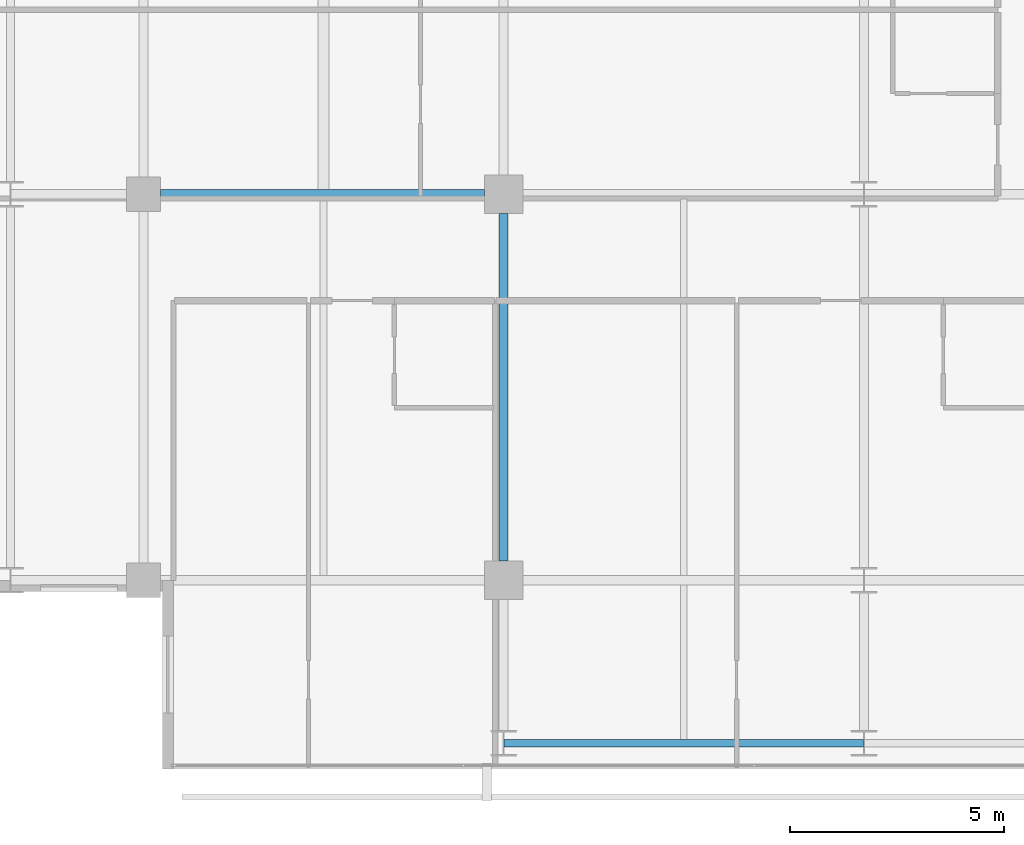
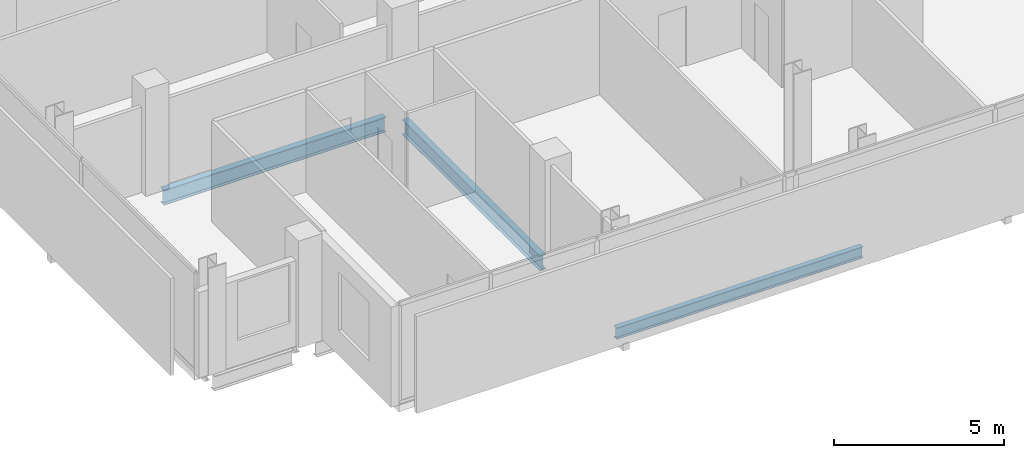
# One storey, part 5 of 34: 3 beams.
"""IFC4 building model written with IfcOpenShell, lengths in metres."""

from ifc_helpers import new_model, si_unit, direction, frame, origin, origin_2d, place, context, subcontext, project, spatial, i_section, extrude, material, material_profile, profile_set, type_object, element, save


model = new_model("IFC4")

# Units and contexts
model_context = context("Model", 3, precision=1e-05, world=origin(), true_north=direction((0.0, 1.0)))
body_context = subcontext(model_context, "Body", "Model", "MODEL_VIEW")
ifc_project = project(units=[si_unit("LENGTHUNIT", "METRE"), si_unit("AREAUNIT", "SQUARE_METRE"), si_unit("VOLUMEUNIT", "CUBIC_METRE"), si_unit("PLANEANGLEUNIT", "RADIAN"), si_unit("MASSUNIT", "GRAM", prefix="KILO")], contexts=[model_context])

# Site, building, storey
site_placement = place(None, origin())
site = spatial("IfcSite", under=ifc_project, at=site_placement, CompositionType="ELEMENT")
building_placement = place(site_placement, origin())
building = spatial("IfcBuilding", under=site, at=building_placement, Name="Maruvema Waterfront Hotel and Observation Tower", CompositionType="ELEMENT")
storey_placement = place(building_placement, frame((0.0, 0.0, 208.25)))
storey = spatial("IfcBuildingStorey", under=building, at=storey_placement, Name="L51", CompositionType="ELEMENT", Elevation=208.25)

# Beams
ifc_material_1 = material(Name="Steel ASTM A572 Grade 50", Category="steel")
ifc_material_profile_1 = material_profile(ifc_material_1, i_section(OverallWidth=0.178955078125, OverallDepth=0.409912109375, WebThickness=0.0087890625, FlangeThickness=0.014404296875, FilletRadius=0.014892578125, at=origin_2d()), Name="W410x67.0")
ifc_profile_set_1 = profile_set([ifc_material_profile_1], Name="Steel ASTM A572 Grade 50")
beam_type_1 = type_object("IfcBeamType", Name="Perimeter Spandrel Beam W410x67.0", PredefinedType="SPANDREL", material=ifc_profile_set_1)
beam_1_placement = place(storey_placement, frame((25.21240234375, 5.199951171875, -0.445068359375), z_axis=(1.0, 0.0, 0.0), x_axis=(0.0, 1.0, 0.0)))
element("IfcBeam", 1, at=beam_1_placement, inside=storey, type_object=beam_type_1, Name="L51 Floor Girder EW-01", PredefinedType="SPANDREL", context=body_context, shape_type="SweptSolid", body=[
    extrude(i_section(OverallWidth=0.178955078125, OverallDepth=0.409912109375, WebThickness=0.0087890625, FlangeThickness=0.014404296875, FilletRadius=0.014892578125, at=origin_2d()), origin(), (0.0, 0.0, 1.0), 8.375),
])
ifc_material_2 = material(Name="Steel ASTM A572 Grade 50", Category="steel")
ifc_material_profile_2 = material_profile(ifc_material_2, i_section(OverallWidth=0.2109375, OverallDepth=0.5390625, WebThickness=0.01171875, FlangeThickness=0.018798828125, FilletRadius=0.014892578125, at=origin_2d()), Name="W530x109.0")
ifc_profile_set_2 = profile_set([ifc_material_profile_2], Name="Steel ASTM A572 Grade 50")
beam_type_2 = type_object("IfcBeamType", Name="Primary Floor Girder W530x109.0", PredefinedType="BEAM", material=ifc_profile_set_2)
beam_2_placement = place(storey_placement, frame((17.199951171875, 18.0, -0.509521484375), z_axis=(1.0, 0.0, 0.0), x_axis=(0.0, 1.0, 0.0)))
element("IfcBeam", 2, at=beam_2_placement, inside=storey, type_object=beam_type_2, Name="L51 Floor Girder EW-12", PredefinedType="BEAM", context=body_context, shape_type="SweptSolid", body=[
    extrude(i_section(OverallWidth=0.2109375, OverallDepth=0.5390625, WebThickness=0.01171875, FlangeThickness=0.018798828125, FilletRadius=0.014892578125, at=origin_2d()), origin(), (0.0, 0.0, 1.0), 7.550048828125),
])
beam_3_placement = place(storey_placement, frame((25.199951171875, 9.449951171875, -0.509521484375), z_axis=(0.0, 1.0, 0.0), x_axis=(-1.0, 0.0, 0.0)))
element("IfcBeam", 3, at=beam_3_placement, inside=storey, type_object=beam_type_2, Name="L51 Floor Girder NS-10", PredefinedType="BEAM", context=body_context, shape_type="SweptSolid", body=[
    extrude(i_section(OverallWidth=0.2109375, OverallDepth=0.5390625, WebThickness=0.01171875, FlangeThickness=0.018798828125, FilletRadius=0.014892578125, at=origin_2d()), origin(), (0.0, 0.0, 1.0), 8.10009765625),
])

save(model, "model.ifc")
